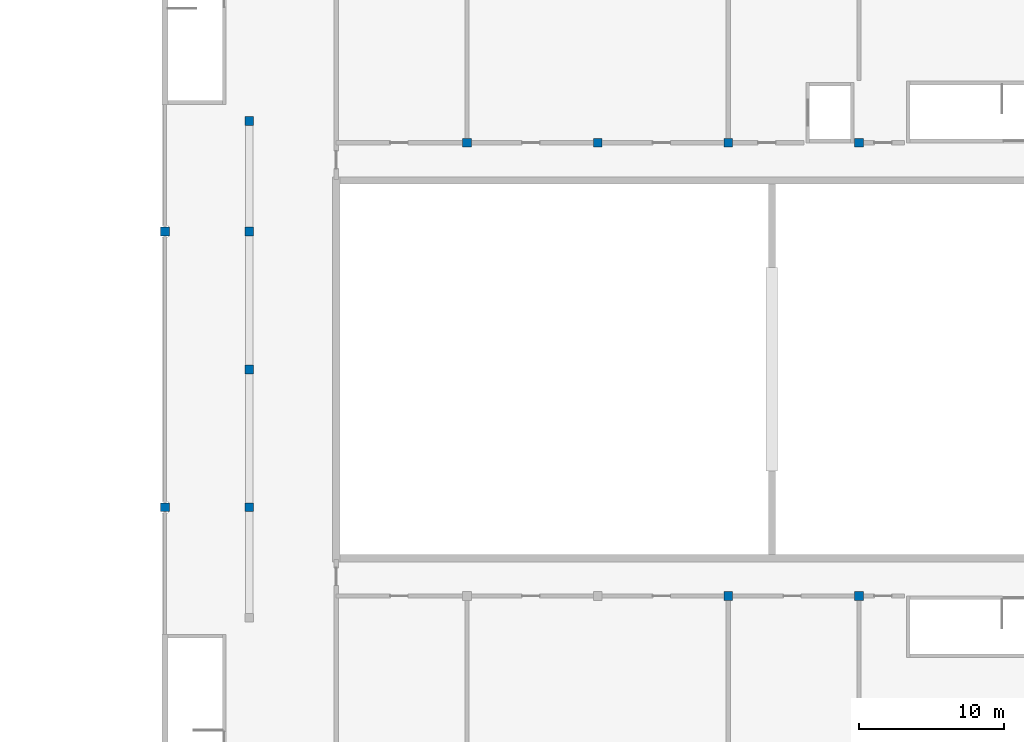
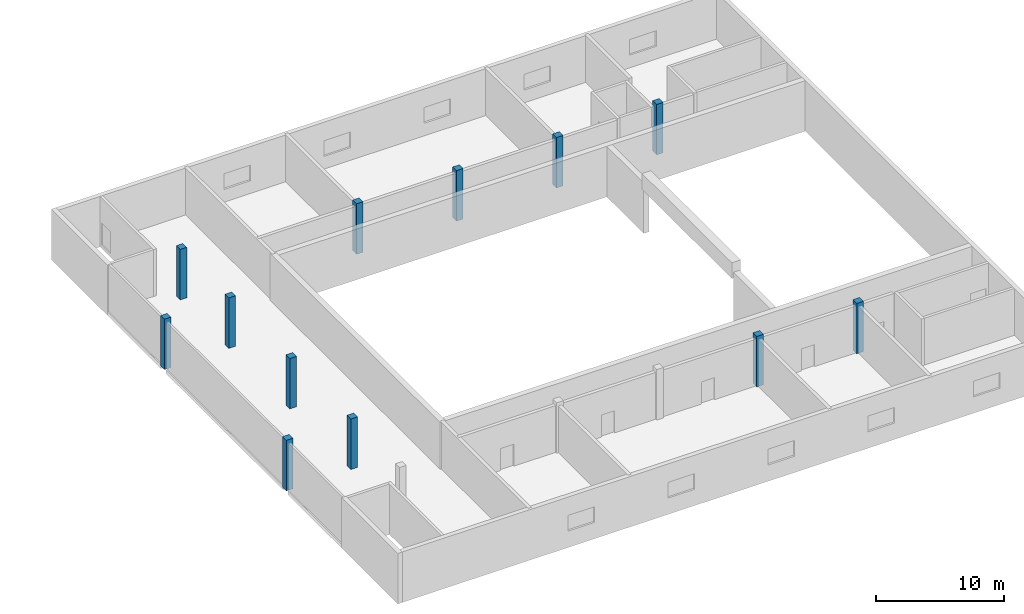
# One storey, part 2 of 31: 12 columns.
"""IFC4 building model written with IfcOpenShell, lengths in metres."""

import ifcopenshell
import ifcopenshell.guid

model = None  # the IFC model being written
_history = None  # IfcOwnerHistory: only IFC2X3 demands one
_inside = {}  # id of a spatial element -> (the spatial element, [elements in it])
_under = {}  # id of a project, library or spatial element -> (it, [spatial elements below it])
_declared = {}  # id of a project -> (the project, [libraries it declares])
_typed = {}  # id of a type object -> (the type object, [elements of that type])
_made_of = {}  # id of a material, layer set ... -> (it, [elements and type objects made of it])


def new_model(schema):
    """Start an empty IFC model of exactly this schema.

    Asked for "IFC4X3", IfcOpenShell would pick the latest addendum, in which some entities
    have other attributes; the version numbers below select the first issue.
    IFC2X3 requires an IfcOwnerHistory on every rooted entity: one is made here for all.
    """
    global model, _history
    if schema == "IFC4X3":
        model = ifcopenshell.file(schema_version=(4, 3, 0, 0))
    else:
        model = ifcopenshell.file(schema=schema)
    _inside.clear()
    _under.clear()
    _declared.clear()
    _typed.clear()
    _made_of.clear()
    _history = None
    if model.schema == "IFC2X3":
        org = make("IfcOrganization", Name="unknown")
        user = make(
            "IfcPersonAndOrganization",
            ThePerson=make("IfcPerson", FamilyName="unknown"),
            TheOrganization=org,
        )
        app = make(
            "IfcApplication",
            ApplicationDeveloper=org,
            Version="unknown",
            ApplicationFullName="unknown",
            ApplicationIdentifier="unknown",
        )
        _history = make(
            "IfcOwnerHistory",
            OwningUser=user,
            OwningApplication=app,
            ChangeAction="ADDED",
            CreationDate=0,
        )
    return model


def make(cls, **values):
    """One entity of the class cls with the attributes given. An attribute that is None is left unset."""
    return model.create_entity(
        cls, **{name: value for name, value in values.items() if value is not None}
    )


def rooted(cls, **values):
    """An entity with a GlobalId (a new one), such as an element, a storey or a relation."""
    return make(cls, GlobalId=ifcopenshell.guid.new(), OwnerHistory=_history, **values)


def si_unit(unit_type, name, prefix=None):
    """IfcSIUnit, for example si_unit("LENGTHUNIT", "METRE", prefix="MILLI")."""
    return make("IfcSIUnit", UnitType=unit_type, Prefix=prefix, Name=name)


def assignment(units):
    """IfcUnitAssignment: the units of a project."""
    return None if units is None else make("IfcUnitAssignment", Units=units)


def point(xyz):
    """IfcCartesianPoint."""
    return None if xyz is None else make("IfcCartesianPoint", Coordinates=xyz)


def direction(xyz):
    """IfcDirection."""
    return None if xyz is None else make("IfcDirection", DirectionRatios=xyz)


def frame(location, z_axis=None, x_axis=None):
    """IfcAxis2Placement3D, a coordinate frame: its origin and axes. An axis left out is left unset."""
    return make(
        "IfcAxis2Placement3D",
        Location=point(location),
        Axis=direction(z_axis),
        RefDirection=direction(x_axis),
    )


def frame_2d(location, x_axis=None):
    """IfcAxis2Placement2D, a coordinate frame in the plane: its origin and x axis."""
    return make(
        "IfcAxis2Placement2D", Location=point(location), RefDirection=direction(x_axis)
    )


def origin():
    """The frame at (0, 0, 0) with its axes left unset."""
    return frame((0.0, 0.0, 0.0))


def origin_2d():
    """The frame at (0, 0) in the plane with its x axis left unset."""
    return frame_2d((0.0, 0.0))


def place(relative_to, where):
    """IfcLocalPlacement: puts the frame where relative to a parent placement (None: the world)."""
    return make(
        "IfcLocalPlacement", PlacementRelTo=relative_to, RelativePlacement=where
    )


def context(
    kind, dimensions, precision=None, world=None, true_north=None, identifier=None
):
    """IfcGeometricRepresentationContext, for example the 3D "Model" context."""
    return make(
        "IfcGeometricRepresentationContext",
        ContextIdentifier=identifier,
        ContextType=kind,
        CoordinateSpaceDimension=dimensions,
        Precision=precision,
        WorldCoordinateSystem=world,
        TrueNorth=true_north,
    )


def subcontext(parent, identifier, kind, view, scale=None):
    """IfcGeometricRepresentationSubContext, for example "Body" below "Model"."""
    return make(
        "IfcGeometricRepresentationSubContext",
        ContextIdentifier=identifier,
        ContextType=kind,
        ParentContext=parent,
        TargetScale=scale,
        TargetView=view,
    )


def project(units=None, contexts=None):
    """IfcProject with its units and contexts."""
    return rooted(
        "IfcProject",
        Name="project",
        RepresentationContexts=contexts,
        UnitsInContext=assignment(units),
    )


def spatial(cls, under=None, at=None, **own):
    """A site, building, storey or space (cls), placed at a placement, below another one or the project."""
    s = rooted(cls, ObjectPlacement=at, **own)
    if under is not None:
        _under.setdefault(under.id(), (under, []))[1].append(s)
    return s


def profile(cls, at=None, kind="AREA", **sizes):
    """A parametric profile (cls). Its sizes go by their IFC names, for example OverallWidth=200.0."""
    return make(cls, ProfileType=kind, Position=at, **sizes)


def rectangle(**sizes):
    """IfcRectangleProfileDef."""
    return profile("IfcRectangleProfileDef", **sizes)


def extrude(swept, where, along, depth):
    """IfcExtrudedAreaSolid: the profile swept, set in the frame where, extruded along a direction by depth."""
    return make(
        "IfcExtrudedAreaSolid",
        SweptArea=swept,
        Position=where,
        ExtrudedDirection=direction(along),
        Depth=depth,
    )


def shape(context_of_items, identifier, shape_type, items):
    """IfcShapeRepresentation: the items that make up one representation, for example the "Body"."""
    return make(
        "IfcShapeRepresentation",
        ContextOfItems=context_of_items,
        RepresentationIdentifier=identifier,
        RepresentationType=shape_type,
        Items=items,
    )


def material(Name=None, Category=None):
    """IfcMaterial."""
    return make("IfcMaterial", Name=Name, Category=Category)


def material_profile(
    of_material, cross_section, Name=None, Category=None, Priority=None
):
    """IfcMaterialProfile: a cross section and its material."""
    return make(
        "IfcMaterialProfile",
        Name=Name,
        Material=of_material,
        Profile=cross_section,
        Priority=Priority,
        Category=Category,
    )


def profile_set(profiles, Name=None, composite=None):
    """IfcMaterialProfileSet."""
    return make(
        "IfcMaterialProfileSet",
        Name=Name,
        MaterialProfiles=profiles,
        CompositeProfile=composite,
    )


def made_of(thing, what):
    """Note that an element or type object is made of a material, layer set ...; save() writes the relation."""
    if what is not None:
        _made_of.setdefault(what.id(), (what, []))[1].append(thing)
    return thing


def type_object(cls, material=None, **own):
    """A type object (cls), such as IfcWallType, which elements share."""
    return made_of(rooted(cls, **own), material)


def element(
    cls,
    number,
    at=None,
    inside=None,
    cuts=None,
    type_object=None,
    material=None,
    context=None,
    identifier="Body",
    shape_type=None,
    held_by="IfcProductDefinitionShape",
    body=None,
    shapes=None,
    **own,
):
    """One element of the class cls, such as IfcWall. Its Tag is "e" and its number.

    at: its placement. inside: the storey or other place that contains it. cuts: it is an
    opening in that element (IfcRelVoidsElement). A single representation is given by context,
    identifier, shape_type and body (its items); several are given by shapes. held_by: the class
    of the entity that holds the representations. save() writes the other relations.
    """
    e = rooted(cls, Tag="e%d" % number, ObjectPlacement=at, **own)
    if body is not None:
        shapes = [shape(context, identifier, shape_type, body)]
    if shapes is not None:
        e.Representation = make(held_by, Representations=shapes)
    if inside is not None:
        _inside.setdefault(inside.id(), (inside, []))[1].append(e)
    if cuts is not None:
        rooted(
            "IfcRelVoidsElement", RelatingBuildingElement=cuts, RelatedOpeningElement=e
        )
    if type_object is not None:
        _typed.setdefault(type_object.id(), (type_object, []))[1].append(e)
    return made_of(e, material)


def aggregate(whole, parts):
    """IfcRelAggregates: a whole, such as a stair, and the parts it consists of."""
    return rooted("IfcRelAggregates", RelatingObject=whole, RelatedObjects=parts)


def save(model, path):
    """Write the relations noted so far, then the file.

    IfcRelAggregates (storeys below a building ...), IfcRelContainedInSpatialStructure (elements
    in a storey), IfcRelDefinesByType, IfcRelAssociatesMaterial and IfcRelDeclares: one each for
    every whole, place, type object, material and project.
    """
    for whole, parts in _under.values():
        aggregate(whole, parts)
    for where, things in _inside.values():
        rooted(
            "IfcRelContainedInSpatialStructure",
            RelatedElements=things,
            RelatingStructure=where,
        )
    for kind, things in _typed.values():
        rooted("IfcRelDefinesByType", RelatedObjects=things, RelatingType=kind)
    for what, things in _made_of.values():
        rooted("IfcRelAssociatesMaterial", RelatedObjects=things, RelatingMaterial=what)
    for by, libraries in _declared.values():
        rooted("IfcRelDeclares", RelatingContext=by, RelatedDefinitions=libraries)
    model.write(path)


model = new_model("IFC4")

# Units and contexts
model_context = context("Model", 3, precision=1e-05, world=origin(), true_north=direction((0.0, 1.0)))
body_context = subcontext(model_context, "Body", "Model", "MODEL_VIEW")
ifc_project = project(units=[si_unit("LENGTHUNIT", "METRE"), si_unit("AREAUNIT", "SQUARE_METRE"), si_unit("VOLUMEUNIT", "CUBIC_METRE"), si_unit("PLANEANGLEUNIT", "RADIAN"), si_unit("MASSUNIT", "GRAM", prefix="KILO")], contexts=[model_context])

# Site, building, storey
site_placement = place(None, origin())
site = spatial("IfcSite", under=ifc_project, at=site_placement, CompositionType="ELEMENT")
building_placement = place(site_placement, origin())
building = spatial("IfcBuilding", under=site, at=building_placement, Name="Hunhe Ridgeline Campus", CompositionType="ELEMENT")
storey_placement = place(building_placement, frame((0.0, 0.0, 16.800048828125)))
storey = spatial("IfcBuildingStorey", under=building, at=storey_placement, Name="L03", CompositionType="ELEMENT", Elevation=16.800048828125)

# Columns
ifc_material = material(Name="Concrete C50", Category="concrete")
ifc_material_profile = material_profile(ifc_material, rectangle(XDim=0.60009765625, YDim=0.60009765625, at=origin_2d()))
ifc_profile_set = profile_set([ifc_material_profile], Name="Concrete C50")
column_type = type_object("IfcColumnType", Name="Hall RC column 600x600 C50", PredefinedType="COLUMN", material=ifc_profile_set)
for number, where, z_axis, x_axis, name in (
    (1, (171.0, 65.10009765625, 0.0), (0.0, 0.0, 1.0), (1.0, 0.0, 0.0), "Hall column HC-N1"),
    (2, (180.0, 65.10009765625, 0.0), (0.0, 0.0, 1.0), (1.0, 0.0, 0.0), "Hall column HC-N2"),
    (3, (189.0, 33.89990234375, 0.0), (0.0, 0.0, 1.0), (1.0, 0.0, 0.0), "Hall column HC-S3"),
    (4, (189.0, 65.10009765625, 0.0), (0.0, 0.0, 1.0), (1.0, 0.0, 0.0), "Hall column HC-N3"),
    (5, (198.0, 33.89990234375, 0.0), (0.0, 0.0, 1.0), (1.0, 0.0, 0.0), "Hall column HC-S4"),
    (6, (198.0, 65.10009765625, 0.0), (0.0, 0.0, 1.0), (1.0, 0.0, 0.0), "Hall column HC-N4"),
    (7, (156.0, 40.0, 0.0), (0.0, 0.0, 1.0), (1.0, 0.0, 0.0), "Hall column HC-G2"),
    (8, (156.0, 49.5, 0.0), (0.0, 0.0, 1.0), (1.0, 0.0, 0.0), "Hall column HC-G3"),
    (9, (156.0, 59.0, 0.0), (0.0, 0.0, 1.0), (1.0, 0.0, 0.0), "Hall column HC-G4"),
    (10, (156.0, 66.60009765625, 0.0), (0.0, 0.0, 1.0), (1.0, 0.0, 0.0), "Hall column HC-G5"),
    (11, (150.199951171875, 40.0, 0.0), (0.0, 0.0, 1.0), (1.0, 0.0, 0.0), "Hall column HC-W1"),
    (12, (150.199951171875, 59.0, 0.0), (0.0, 0.0, 1.0), (1.0, 0.0, 0.0), "Hall column HC-W2"),
):
    element("IfcColumn", number, at=place(storey_placement, frame(where, z_axis=z_axis, x_axis=x_axis)), inside=storey, type_object=column_type, Name=name, PredefinedType="COLUMN", context=body_context, shape_type="SweptSolid", body=[
        extrude(rectangle(XDim=0.60009765625, YDim=0.60009765625, at=origin_2d()), origin(), (0.0, 0.0, 1.0), 4.800048828125),
    ])

save(model, "model.ifc")
